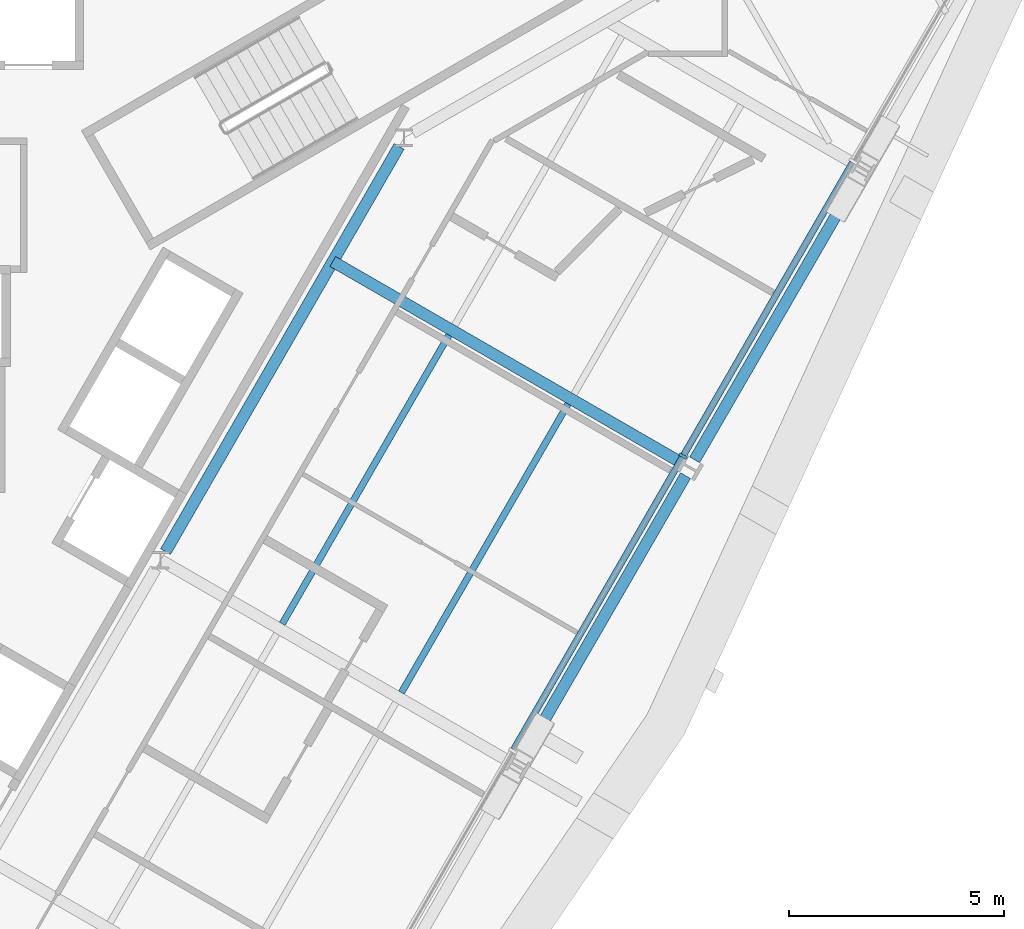
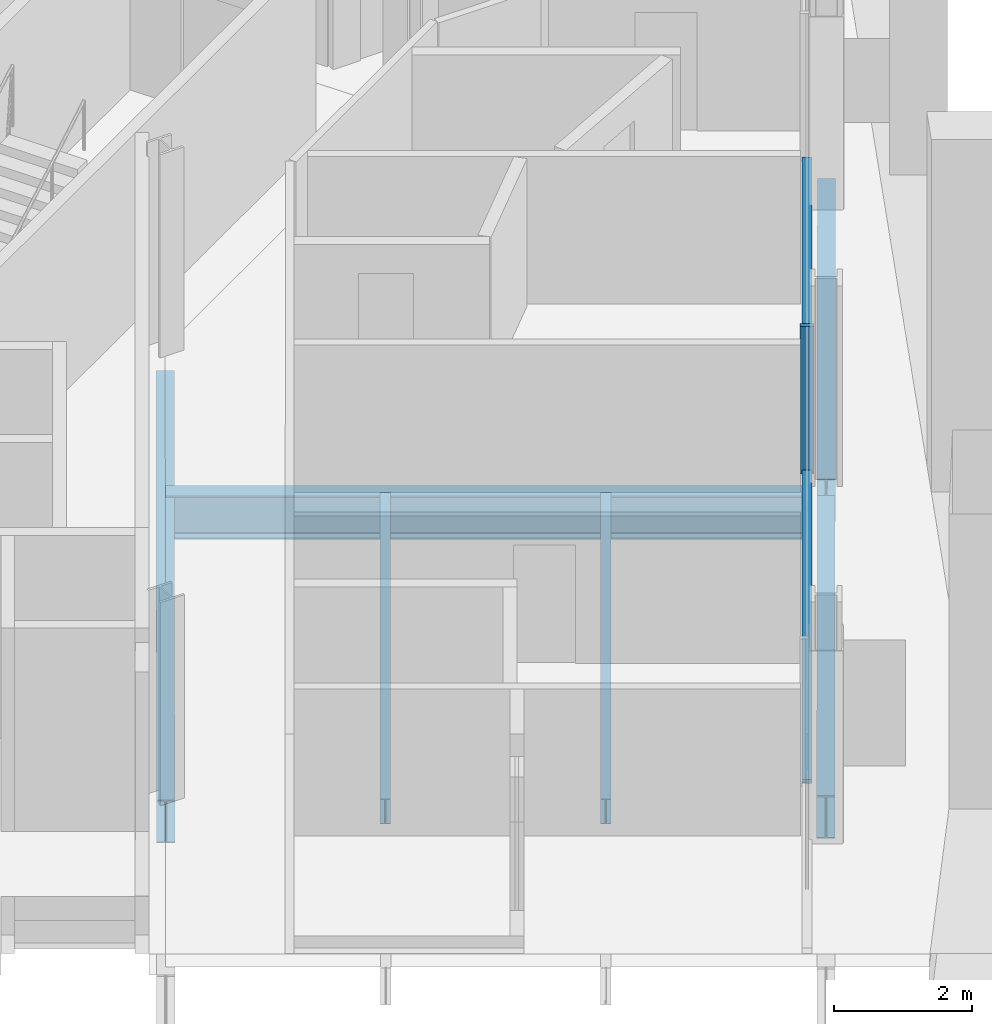
# One storey, part 6 of 16: 6 beams, 3 members, 1 element without a shape of its own.
"""IFC4 building model written with IfcOpenShell, lengths in metres."""

from ifc_helpers import new_model, si_unit, direction, frame, origin, origin_2d, place, context, subcontext, project, spatial, rectangle, i_section, extrude, material, material_profile, profile_set, type_object, element, aggregate, save


model = new_model("IFC4")

# Units and contexts
model_context = context("Model", 3, precision=1e-05, world=origin(), true_north=direction((0.0, 1.0)))
body_context = subcontext(model_context, "Body", "Model", "MODEL_VIEW")
ifc_project = project(units=[si_unit("LENGTHUNIT", "METRE"), si_unit("AREAUNIT", "SQUARE_METRE"), si_unit("VOLUMEUNIT", "CUBIC_METRE"), si_unit("PLANEANGLEUNIT", "RADIAN"), si_unit("MASSUNIT", "GRAM", prefix="KILO")], contexts=[model_context])

# Site, building, storey
site_placement = place(None, origin())
site = spatial("IfcSite", under=ifc_project, at=site_placement, CompositionType="ELEMENT")
building_placement = place(site_placement, origin())
building = spatial("IfcBuilding", under=site, at=building_placement, Name="Verrane Prism Tower", CompositionType="ELEMENT")
storey_placement = place(building_placement, frame((0.0, 0.0, 114.39990234375)))
storey = spatial("IfcBuildingStorey", under=building, at=storey_placement, Name="L27", CompositionType="ELEMENT", Elevation=114.39990234375)

# Beams
ifc_material_1 = material(Name="Steel A992", Category="steel")
ifc_material_profile_1 = material_profile(ifc_material_1, i_section(OverallWidth=0.2666015625, OverallDepth=0.7568359375, WebThickness=0.013916015625, FlangeThickness=0.019287109375, FilletRadius=0.0166015625, at=origin_2d()), Name="W30x108")
ifc_profile_set_1 = profile_set([ifc_material_profile_1], Name="Steel A992")
beam_type_1 = type_object("IfcBeamType", Name="Core ring girder W30x108", PredefinedType="BEAM", material=ifc_profile_set_1)
beam_1_placement = place(storey_placement, frame((8.0849609375, -4.400634765625, -0.62841796875), z_axis=(0.4993706109, 0.866388476937, 0.0), x_axis=(-0.866388476937, 0.4993706109, 0.0)))
element("IfcBeam", 1, at=beam_1_placement, inside=storey, type_object=beam_type_1, Name="Core ring girder L27", PredefinedType="BEAM", context=body_context, shape_type="SweptSolid", body=[
    extrude(i_section(OverallWidth=0.2666015625, OverallDepth=0.7568359375, WebThickness=0.013916015625, FlangeThickness=0.019287109375, FilletRadius=0.0166015625, at=origin_2d()), origin(), (0.0, 0.0, 1.0), 10.8740234375),
])
ifc_material_2 = material(Name="Steel A992", Category="steel")
ifc_material_profile_2 = material_profile(ifc_material_2, i_section(OverallWidth=0.15234375, OverallDepth=0.449462890625, WebThickness=0.007568359375, FlangeThickness=0.0107421875, FilletRadius=0.01025390625, at=origin_2d()), Name="W18x35")
ifc_profile_set_2 = profile_set([ifc_material_profile_2], Name="Steel A992")
beam_type_2 = type_object("IfcBeamType", Name="Floor beam W18x35", PredefinedType="BEAM", material=ifc_profile_set_2)
beam_2_placement = place(storey_placement, frame((13.568603515625, -7.6767578125, -0.384765625), z_axis=(0.499981532947, 0.86603606548, 0.0), x_axis=(-0.86603606548, 0.499981532947, 0.0)))
element("IfcBeam", 2, at=beam_2_placement, inside=storey, type_object=beam_type_2, Name="Floor beam L27", PredefinedType="BEAM", context=body_context, shape_type="SweptSolid", body=[
    extrude(i_section(OverallWidth=0.15234375, OverallDepth=0.449462890625, WebThickness=0.007568359375, FlangeThickness=0.0107421875, FilletRadius=0.01025390625, at=origin_2d()), origin(), (0.0, 0.0, 1.0), 7.749267578125),
])
beam_3_placement = place(storey_placement, frame((10.7978515625, -6.077880859375, -0.384765625), z_axis=(0.499984211786, 0.866034518922, 0.0), x_axis=(-0.866034518922, 0.499984211786, 0.0)))
element("IfcBeam", 3, at=beam_3_placement, inside=storey, type_object=beam_type_2, Name="Floor beam L27", PredefinedType="BEAM", context=body_context, shape_type="SweptSolid", body=[
    extrude(i_section(OverallWidth=0.15234375, OverallDepth=0.449462890625, WebThickness=0.007568359375, FlangeThickness=0.0107421875, FilletRadius=0.01025390625, at=origin_2d()), origin(), (0.0, 0.0, 1.0), 7.750732421875),
])

# Curtain wall, member
ifc_material_3 = material(Name="Aluminium framed insulated glazing", Category="aluminium")
curtain_wall_type = type_object("IfcCurtainWallType", Name="Curtain wall CW-A 8400 module", PredefinedType="NOTDEFINED", material=ifc_material_3)
curtain_wall_placement = place(storey_placement, origin())
curtain_wall = element("IfcCurtainWall", 4, at=curtain_wall_placement, inside=storey, type_object=curtain_wall_type, Name="Glazed curtain wall south-east face L27", PredefinedType="NOTDEFINED")
ifc_material_4 = material(Name="Aluminium alloy 6063-T6", Category="aluminium")
ifc_material_profile_3 = material_profile(ifc_material_4, rectangle(XDim=0.199951171875, YDim=0.070068359375, at=origin_2d()), Name="Mullion 70x200 aluminium")
ifc_profile_set_3 = profile_set([ifc_material_profile_3], Name="Aluminium alloy 6063-T6")
member_type_1 = type_object("IfcMemberType", Name="Mullion 70x200 aluminium", PredefinedType="MULLION", material=ifc_profile_set_3)
member_1_placement = place(storey_placement, frame((20.115478515625, -2.1806640625, 0.0), z_axis=(0.0, 0.0, 1.0), x_axis=(-0.866026054504, 0.49999887292, 0.0)))
member_1 = element("IfcMember", 5, at=member_1_placement, type_object=member_type_1, Name="CW27.6 mullion 4", PredefinedType="MULLION", context=body_context, shape_type="SweptSolid", body=[
    extrude(rectangle(XDim=0.199951171875, YDim=0.070068359375, at=origin_2d()), origin(), (0.0, 0.0, 1.0), 2.613037109375),
])

# Beams
ifc_material_5 = material(Name="Steel A992", Category="steel")
ifc_material_profile_4 = material_profile(ifc_material_5, i_section(OverallWidth=0.2666015625, OverallDepth=0.76708984375, WebThickness=0.014892578125, FlangeThickness=0.023681640625, FilletRadius=0.0166015625, at=origin_2d()), Name="W30x124")
ifc_profile_set_4 = profile_set([ifc_material_profile_4], Name="Steel A992")
beam_type_3 = type_object("IfcBeamType", Name="Radial girder W30x124", PredefinedType="BEAM", material=ifc_profile_set_4)
beam_4_placement = place(storey_placement, frame((20.07421875, -2.331298828125, -0.603515625), z_axis=(-0.866026073768, 0.499998839552, 0.0), x_axis=(-0.499998839552, -0.866026073768, 0.0)))
element("IfcBeam", 6, at=beam_4_placement, inside=storey, type_object=beam_type_3, Name="Radial girder L27", PredefinedType="BEAM", context=body_context, shape_type="SweptSolid", body=[
    extrude(i_section(OverallWidth=0.2666015625, OverallDepth=0.76708984375, WebThickness=0.014892578125, FlangeThickness=0.023681640625, FilletRadius=0.0166015625, at=origin_2d()), origin(), (0.0, 0.0, 1.0), 9.35400390625),
])
ifc_material_6 = material(Name="Steel A992", Category="steel")
ifc_material_profile_5 = material_profile(ifc_material_6, i_section(OverallWidth=0.2666015625, OverallDepth=0.7568359375, WebThickness=0.013916015625, FlangeThickness=0.019287109375, FilletRadius=0.0166015625, at=origin_2d()), Name="W30x108")
ifc_profile_set_5 = profile_set([ifc_material_profile_5], Name="Steel A992")
beam_type_4 = type_object("IfcBeamType", Name="Spandrel beam W30x108", PredefinedType="SPANDREL", material=ifc_profile_set_5)
beam_5_placement = place(storey_placement, frame((16.376220703125, -9.206298828125, -0.538330078125), z_axis=(0.500279205376, 0.865864144464, 0.0), x_axis=(-0.865864144464, 0.500279205376, 0.0)))
element("IfcBeam", 7, at=beam_5_placement, inside=storey, type_object=beam_type_4, Name="Spandrel beam L27", PredefinedType="SPANDREL", context=body_context, shape_type="SweptSolid", body=[
    extrude(i_section(OverallWidth=0.2666015625, OverallDepth=0.7568359375, WebThickness=0.013916015625, FlangeThickness=0.019287109375, FilletRadius=0.0166015625, at=origin_2d()), origin(), (0.0, 0.0, 1.0), 7.591064453125),
])
beam_6_placement = place(storey_placement, frame((20.38623046875, -2.266357421875, -0.538330078125), z_axis=(0.500695808248, 0.865623305834, 0.0), x_axis=(-0.865623305834, 0.500695808248, 0.0)))
element("IfcBeam", 8, at=beam_6_placement, inside=storey, type_object=beam_type_4, Name="Spandrel beam L27", PredefinedType="SPANDREL", context=body_context, shape_type="SweptSolid", body=[
    extrude(i_section(OverallWidth=0.2666015625, OverallDepth=0.7568359375, WebThickness=0.013916015625, FlangeThickness=0.019287109375, FilletRadius=0.0166015625, at=origin_2d()), origin(), (0.0, 0.0, 1.0), 7.604736328125),
])

# Member
ifc_material_7 = material(Name="Aluminium alloy 6063-T6", Category="aluminium")
ifc_material_profile_6 = material_profile(ifc_material_7, rectangle(XDim=0.14990234375, YDim=0.070068359375, at=origin_2d()), Name="Transom 70x150 aluminium")
ifc_profile_set_6 = profile_set([ifc_material_profile_6], Name="Aluminium alloy 6063-T6")
member_type_2 = type_object("IfcMemberType", Name="Transom 70x150 aluminium", PredefinedType="USERDEFINED", material=ifc_profile_set_6)
member_2_placement = place(storey_placement, frame((16.177001953125, -9.002685546875, 0.03515625), z_axis=(0.499992828865, 0.866029544001, 0.0), x_axis=(-0.866029544001, 0.499992828865, 0.0)))
member_2 = element("IfcMember", 9, at=member_2_placement, type_object=member_type_2, Name="CW27.6 transom 3", ObjectType="TRANSOM", PredefinedType="USERDEFINED", context=body_context, shape_type="SweptSolid", body=[
    extrude(rectangle(XDim=0.14990234375, YDim=0.070068359375, at=origin_2d()), origin(), (0.0, 0.0, 1.0), 7.84228515625),
])

member_3_placement = place(storey_placement, frame((20.133056640625, -2.150390625, 0.03515625), z_axis=(0.499992828865, 0.866029544001, 0.0), x_axis=(-0.866029544001, 0.499992828865, 0.0)))
member_3 = element("IfcMember", 10, at=member_3_placement, type_object=member_type_2, Name="CW27.6 transom 4", ObjectType="TRANSOM", PredefinedType="USERDEFINED", context=body_context, shape_type="SweptSolid", body=[
    extrude(rectangle(XDim=0.14990234375, YDim=0.070068359375, at=origin_2d()), origin(), (0.0, 0.0, 1.0), 7.84228515625),
])

aggregate(curtain_wall, [member_1, member_2, member_3])

save(model, "model.ifc")
